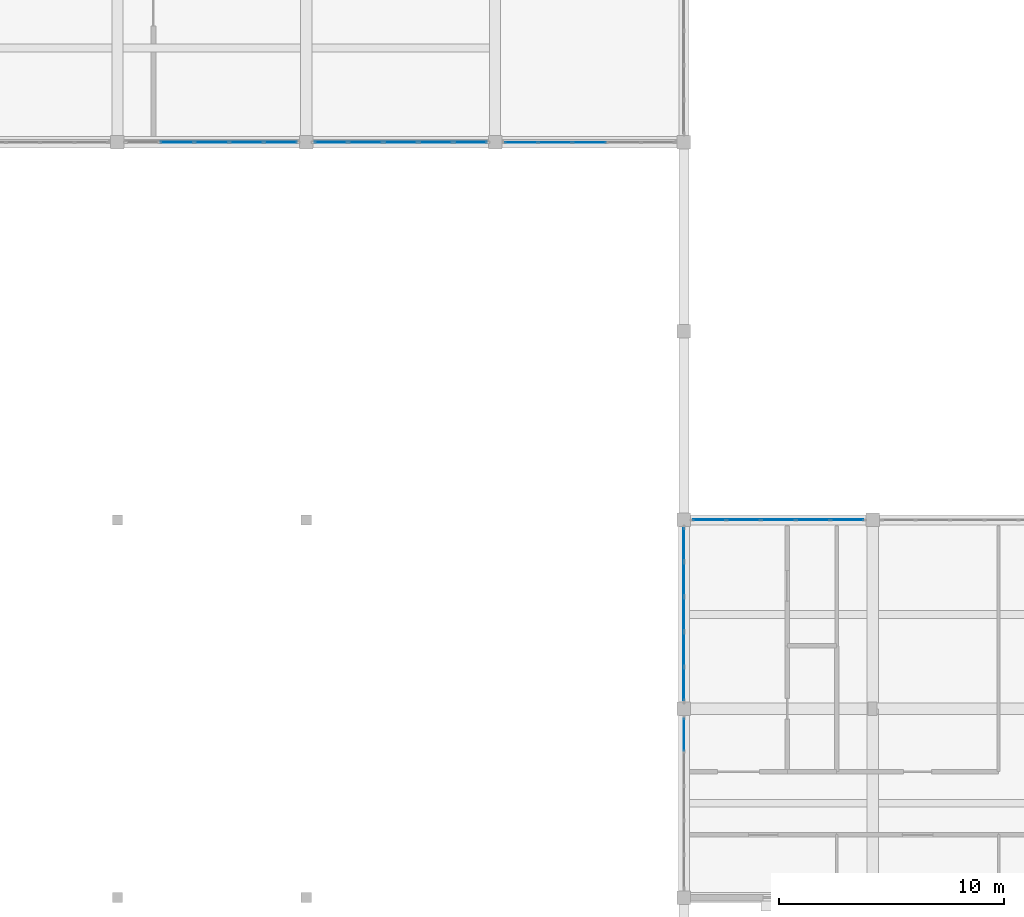
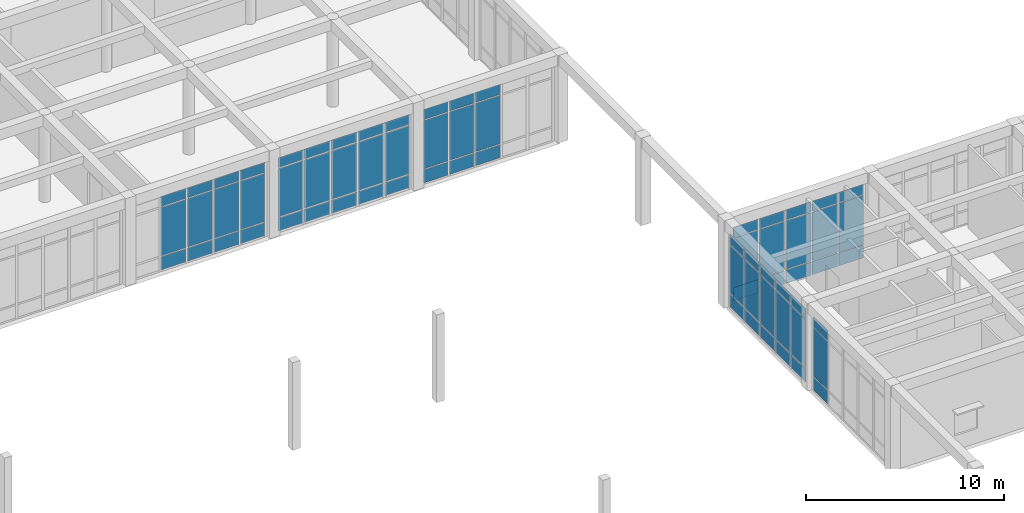
# One storey, part 41 of 89: 69 plates, 6 elements without a shape of their own.
"""IFC4 building model written with IfcOpenShell, lengths in metres."""

from ifc_helpers import new_model, si_unit, direction, frame, origin, origin_2d, place, context, subcontext, project, spatial, rectangle, extrude, material, layer, layer_set, type_object, element, aggregate, save


model = new_model("IFC4")

# Units and contexts
model_context = context("Model", 3, precision=1e-05, world=origin(), true_north=direction((0.0, 1.0)))
body_context = subcontext(model_context, "Body", "Model", "MODEL_VIEW")
ifc_project = project(units=[si_unit("LENGTHUNIT", "METRE"), si_unit("AREAUNIT", "SQUARE_METRE"), si_unit("VOLUMEUNIT", "CUBIC_METRE"), si_unit("PLANEANGLEUNIT", "RADIAN"), si_unit("MASSUNIT", "GRAM", prefix="KILO")], contexts=[model_context])

# Site, building, storey
site_placement = place(None, origin())
site = spatial("IfcSite", under=ifc_project, at=site_placement, CompositionType="ELEMENT")
building_placement = place(site_placement, origin())
building = spatial("IfcBuilding", under=site, at=building_placement, Name="Varncliffe General Hospital", CompositionType="ELEMENT")
storey_placement = place(building_placement, frame((0.0, 0.0, 10.800048828125)))
storey = spatial("IfcBuildingStorey", under=building, at=storey_placement, Name="L02", CompositionType="ELEMENT", Elevation=10.800048828125)

# Curtain wall, plates
ifc_material = material(Name="Triple low-E argon insulated vision glazing", Category="glass")
curtain_wall_type_1 = type_object("IfcCurtainWallType", Name="Unitised Glazed Curtain Wall CW70 (7724x4640)", PredefinedType="USERDEFINED", material=ifc_material)
curtain_wall_1_placement = place(storey_placement, origin())
curtain_wall_1 = element("IfcCurtainWall", 1, at=curtain_wall_1_placement, inside=storey, type_object=curtain_wall_type_1, Name="L02 Glazed Curtain Wall CW70-118", ObjectType="GLAZED CURTAIN WALL", PredefinedType="USERDEFINED")
ifc_layer_1 = layer(ifc_material, 0.0439453125)
ifc_layer_set_1 = layer_set([ifc_layer_1], Name="Triple low-E argon insulated vision glazing")
plate_type_1 = type_object("IfcPlateType", Name="Curtain Wall Glazing Panel CP12 (44mm)", PredefinedType="CURTAIN_PANEL", material=ifc_layer_set_1)
plate_1_placement = place(storey_placement, frame((118.729248046875, 40.800048828125, 0.059814453125), z_axis=(0.0, 0.0, 1.0), x_axis=(1.0, 0.0, 0.0)))
plate_1 = element("IfcPlate", 2, at=plate_1_placement, type_object=plate_type_1, Name="CW70 panel 1.1", PredefinedType="CURTAIN_PANEL", context=body_context, shape_type="SweptSolid", body=[
    extrude(rectangle(XDim=1.432373046875, YDim=0.0439453125, at=origin_2d()), origin(), (0.0, 0.0, 1.0), 0.81005859375),
])
plate_2_placement = place(storey_placement, frame((118.729248046875, 40.800048828125, 0.929931640625), z_axis=(0.0, 0.0, 1.0), x_axis=(1.0, 0.0, 0.0)))
plate_2 = element("IfcPlate", 3, at=plate_2_placement, type_object=plate_type_1, Name="CW70 panel 1.2", PredefinedType="CURTAIN_PANEL", context=body_context, shape_type="SweptSolid", body=[
    extrude(rectangle(XDim=1.432373046875, YDim=0.0439453125, at=origin_2d()), origin(), (0.0, 0.0, 1.0), 2.97998046875),
])
plate_3_placement = place(storey_placement, frame((118.729248046875, 40.800048828125, 3.9697265625), z_axis=(0.0, 0.0, 1.0), x_axis=(1.0, 0.0, 0.0)))
plate_3 = element("IfcPlate", 4, at=plate_3_placement, type_object=plate_type_1, Name="CW70 panel 1.3", PredefinedType="CURTAIN_PANEL", context=body_context, shape_type="SweptSolid", body=[
    extrude(rectangle(XDim=1.432373046875, YDim=0.0439453125, at=origin_2d()), origin(), (0.0, 0.0, 1.0), 0.610107421875),
])
plate_4_placement = place(storey_placement, frame((120.255126953125, 40.800048828125, 0.059814453125), z_axis=(0.0, 0.0, 1.0), x_axis=(1.0, 0.0, 0.0)))
plate_4 = element("IfcPlate", 5, at=plate_4_placement, type_object=plate_type_1, Name="CW70 panel 2.1", PredefinedType="CURTAIN_PANEL", context=body_context, shape_type="SweptSolid", body=[
    extrude(rectangle(XDim=1.4697265625, YDim=0.0439453125, at=origin_2d()), origin(), (0.0, 0.0, 1.0), 0.81005859375),
])
plate_5_placement = place(storey_placement, frame((120.255126953125, 40.800048828125, 0.929931640625), z_axis=(0.0, 0.0, 1.0), x_axis=(1.0, 0.0, 0.0)))
plate_5 = element("IfcPlate", 6, at=plate_5_placement, type_object=plate_type_1, Name="CW70 panel 2.2", PredefinedType="CURTAIN_PANEL", context=body_context, shape_type="SweptSolid", body=[
    extrude(rectangle(XDim=1.4697265625, YDim=0.0439453125, at=origin_2d()), origin(), (0.0, 0.0, 1.0), 2.97998046875),
])
plate_6_placement = place(storey_placement, frame((120.255126953125, 40.800048828125, 3.9697265625), z_axis=(0.0, 0.0, 1.0), x_axis=(1.0, 0.0, 0.0)))
plate_6 = element("IfcPlate", 7, at=plate_6_placement, type_object=plate_type_1, Name="CW70 panel 2.3", PredefinedType="CURTAIN_PANEL", context=body_context, shape_type="SweptSolid", body=[
    extrude(rectangle(XDim=1.4697265625, YDim=0.0439453125, at=origin_2d()), origin(), (0.0, 0.0, 1.0), 0.610107421875),
])
plate_7_placement = place(storey_placement, frame((121.800048828125, 40.800048828125, 0.059814453125), z_axis=(0.0, 0.0, 1.0), x_axis=(1.0, 0.0, 0.0)))
plate_7 = element("IfcPlate", 8, at=plate_7_placement, type_object=plate_type_1, Name="CW70 panel 3.1", PredefinedType="CURTAIN_PANEL", context=body_context, shape_type="SweptSolid", body=[
    extrude(rectangle(XDim=1.4697265625, YDim=0.0439453125, at=origin_2d()), origin(), (0.0, 0.0, 1.0), 0.81005859375),
])
plate_8_placement = place(storey_placement, frame((121.800048828125, 40.800048828125, 0.929931640625), z_axis=(0.0, 0.0, 1.0), x_axis=(1.0, 0.0, 0.0)))
plate_8 = element("IfcPlate", 9, at=plate_8_placement, type_object=plate_type_1, Name="CW70 panel 3.2", PredefinedType="CURTAIN_PANEL", context=body_context, shape_type="SweptSolid", body=[
    extrude(rectangle(XDim=1.4697265625, YDim=0.0439453125, at=origin_2d()), origin(), (0.0, 0.0, 1.0), 2.97998046875),
])
plate_9_placement = place(storey_placement, frame((121.800048828125, 40.800048828125, 3.9697265625), z_axis=(0.0, 0.0, 1.0), x_axis=(1.0, 0.0, 0.0)))
plate_9 = element("IfcPlate", 10, at=plate_9_placement, type_object=plate_type_1, Name="CW70 panel 3.3", PredefinedType="CURTAIN_PANEL", context=body_context, shape_type="SweptSolid", body=[
    extrude(rectangle(XDim=1.4697265625, YDim=0.0439453125, at=origin_2d()), origin(), (0.0, 0.0, 1.0), 0.610107421875),
])
plate_10_placement = place(storey_placement, frame((123.3447265625, 40.800048828125, 0.059814453125), z_axis=(0.0, 0.0, 1.0), x_axis=(1.0, 0.0, 0.0)))
plate_10 = element("IfcPlate", 11, at=plate_10_placement, type_object=plate_type_1, Name="CW70 panel 4.1", PredefinedType="CURTAIN_PANEL", context=body_context, shape_type="SweptSolid", body=[
    extrude(rectangle(XDim=1.4697265625, YDim=0.0439453125, at=origin_2d()), origin(), (0.0, 0.0, 1.0), 0.81005859375),
])
plate_11_placement = place(storey_placement, frame((123.3447265625, 40.800048828125, 0.929931640625), z_axis=(0.0, 0.0, 1.0), x_axis=(1.0, 0.0, 0.0)))
plate_11 = element("IfcPlate", 12, at=plate_11_placement, type_object=plate_type_1, Name="CW70 panel 4.2", PredefinedType="CURTAIN_PANEL", context=body_context, shape_type="SweptSolid", body=[
    extrude(rectangle(XDim=1.4697265625, YDim=0.0439453125, at=origin_2d()), origin(), (0.0, 0.0, 1.0), 2.97998046875),
])
plate_12_placement = place(storey_placement, frame((123.3447265625, 40.800048828125, 3.9697265625), z_axis=(0.0, 0.0, 1.0), x_axis=(1.0, 0.0, 0.0)))
plate_12 = element("IfcPlate", 13, at=plate_12_placement, type_object=plate_type_1, Name="CW70 panel 4.3", PredefinedType="CURTAIN_PANEL", context=body_context, shape_type="SweptSolid", body=[
    extrude(rectangle(XDim=1.4697265625, YDim=0.0439453125, at=origin_2d()), origin(), (0.0, 0.0, 1.0), 0.610107421875),
])
plate_13_placement = place(storey_placement, frame((124.870849609375, 40.800048828125, 0.059814453125), z_axis=(0.0, 0.0, 1.0), x_axis=(1.0, 0.0, 0.0)))
plate_13 = element("IfcPlate", 14, at=plate_13_placement, type_object=plate_type_1, Name="CW70 panel 5.1", PredefinedType="CURTAIN_PANEL", context=body_context, shape_type="SweptSolid", body=[
    extrude(rectangle(XDim=1.432373046875, YDim=0.0439453125, at=origin_2d()), origin(), (0.0, 0.0, 1.0), 0.81005859375),
])
plate_14_placement = place(storey_placement, frame((124.870849609375, 40.800048828125, 0.929931640625), z_axis=(0.0, 0.0, 1.0), x_axis=(1.0, 0.0, 0.0)))
plate_14 = element("IfcPlate", 15, at=plate_14_placement, type_object=plate_type_1, Name="CW70 panel 5.2", PredefinedType="CURTAIN_PANEL", context=body_context, shape_type="SweptSolid", body=[
    extrude(rectangle(XDim=1.432373046875, YDim=0.0439453125, at=origin_2d()), origin(), (0.0, 0.0, 1.0), 2.97998046875),
])
plate_15_placement = place(storey_placement, frame((124.870849609375, 40.800048828125, 3.9697265625), z_axis=(0.0, 0.0, 1.0), x_axis=(1.0, 0.0, 0.0)))
plate_15 = element("IfcPlate", 16, at=plate_15_placement, type_object=plate_type_1, Name="CW70 panel 5.3", PredefinedType="CURTAIN_PANEL", context=body_context, shape_type="SweptSolid", body=[
    extrude(rectangle(XDim=1.432373046875, YDim=0.0439453125, at=origin_2d()), origin(), (0.0, 0.0, 1.0), 0.610107421875),
])
aggregate(curtain_wall_1, [plate_1, plate_2, plate_3, plate_4, plate_5, plate_6, plate_7, plate_8, plate_9, plate_10, plate_11, plate_12, plate_13, plate_14, plate_15])

curtain_wall_2_placement = place(storey_placement, origin())
curtain_wall_2 = element("IfcCurtainWall", 17, at=curtain_wall_2_placement, inside=storey, type_object=curtain_wall_type_1, Name="L02 Glazed Curtain Wall CW70-136", ObjectType="GLAZED CURTAIN WALL", PredefinedType="USERDEFINED")
plate_16_placement = place(storey_placement, frame((99.6708984375, 57.60009765625, 0.059814453125), z_axis=(0.0, 0.0, 1.0), x_axis=(-1.0, 0.0, 0.0)))
plate_16 = element("IfcPlate", 18, at=plate_16_placement, type_object=plate_type_1, Name="CW70 panel 1.1", PredefinedType="CURTAIN_PANEL", context=body_context, shape_type="SweptSolid", body=[
    extrude(rectangle(XDim=1.432373046875, YDim=0.0439453125, at=origin_2d()), origin(), (0.0, 0.0, 1.0), 0.81005859375),
])
plate_17_placement = place(storey_placement, frame((99.6708984375, 57.60009765625, 0.929931640625), z_axis=(0.0, 0.0, 1.0), x_axis=(-1.0, 0.0, 0.0)))
plate_17 = element("IfcPlate", 19, at=plate_17_placement, type_object=plate_type_1, Name="CW70 panel 1.2", PredefinedType="CURTAIN_PANEL", context=body_context, shape_type="SweptSolid", body=[
    extrude(rectangle(XDim=1.432373046875, YDim=0.0439453125, at=origin_2d()), origin(), (0.0, 0.0, 1.0), 2.97998046875),
])
plate_18_placement = place(storey_placement, frame((99.6708984375, 57.60009765625, 3.9697265625), z_axis=(0.0, 0.0, 1.0), x_axis=(-1.0, 0.0, 0.0)))
plate_18 = element("IfcPlate", 20, at=plate_18_placement, type_object=plate_type_1, Name="CW70 panel 1.3", PredefinedType="CURTAIN_PANEL", context=body_context, shape_type="SweptSolid", body=[
    extrude(rectangle(XDim=1.432373046875, YDim=0.0439453125, at=origin_2d()), origin(), (0.0, 0.0, 1.0), 0.610107421875),
])
plate_19_placement = place(storey_placement, frame((98.144775390625, 57.60009765625, 0.059814453125), z_axis=(0.0, 0.0, 1.0), x_axis=(-1.0, 0.0, 0.0)))
plate_19 = element("IfcPlate", 21, at=plate_19_placement, type_object=plate_type_1, Name="CW70 panel 2.1", PredefinedType="CURTAIN_PANEL", context=body_context, shape_type="SweptSolid", body=[
    extrude(rectangle(XDim=1.4697265625, YDim=0.0439453125, at=origin_2d()), origin(), (0.0, 0.0, 1.0), 0.81005859375),
])
plate_20_placement = place(storey_placement, frame((98.144775390625, 57.60009765625, 0.929931640625), z_axis=(0.0, 0.0, 1.0), x_axis=(-1.0, 0.0, 0.0)))
plate_20 = element("IfcPlate", 22, at=plate_20_placement, type_object=plate_type_1, Name="CW70 panel 2.2", PredefinedType="CURTAIN_PANEL", context=body_context, shape_type="SweptSolid", body=[
    extrude(rectangle(XDim=1.4697265625, YDim=0.0439453125, at=origin_2d()), origin(), (0.0, 0.0, 1.0), 2.97998046875),
])
plate_21_placement = place(storey_placement, frame((98.144775390625, 57.60009765625, 3.9697265625), z_axis=(0.0, 0.0, 1.0), x_axis=(-1.0, 0.0, 0.0)))
plate_21 = element("IfcPlate", 23, at=plate_21_placement, type_object=plate_type_1, Name="CW70 panel 2.3", PredefinedType="CURTAIN_PANEL", context=body_context, shape_type="SweptSolid", body=[
    extrude(rectangle(XDim=1.4697265625, YDim=0.0439453125, at=origin_2d()), origin(), (0.0, 0.0, 1.0), 0.610107421875),
])
plate_22_placement = place(storey_placement, frame((96.60009765625, 57.60009765625, 0.059814453125), z_axis=(0.0, 0.0, 1.0), x_axis=(-1.0, 0.0, 0.0)))
plate_22 = element("IfcPlate", 24, at=plate_22_placement, type_object=plate_type_1, Name="CW70 panel 3.1", PredefinedType="CURTAIN_PANEL", context=body_context, shape_type="SweptSolid", body=[
    extrude(rectangle(XDim=1.4697265625, YDim=0.0439453125, at=origin_2d()), origin(), (0.0, 0.0, 1.0), 0.81005859375),
])
plate_23_placement = place(storey_placement, frame((96.60009765625, 57.60009765625, 0.929931640625), z_axis=(0.0, 0.0, 1.0), x_axis=(-1.0, 0.0, 0.0)))
plate_23 = element("IfcPlate", 25, at=plate_23_placement, type_object=plate_type_1, Name="CW70 panel 3.2", PredefinedType="CURTAIN_PANEL", context=body_context, shape_type="SweptSolid", body=[
    extrude(rectangle(XDim=1.4697265625, YDim=0.0439453125, at=origin_2d()), origin(), (0.0, 0.0, 1.0), 2.97998046875),
])
plate_24_placement = place(storey_placement, frame((96.60009765625, 57.60009765625, 3.9697265625), z_axis=(0.0, 0.0, 1.0), x_axis=(-1.0, 0.0, 0.0)))
plate_24 = element("IfcPlate", 26, at=plate_24_placement, type_object=plate_type_1, Name="CW70 panel 3.3", PredefinedType="CURTAIN_PANEL", context=body_context, shape_type="SweptSolid", body=[
    extrude(rectangle(XDim=1.4697265625, YDim=0.0439453125, at=origin_2d()), origin(), (0.0, 0.0, 1.0), 0.610107421875),
])
plate_25_placement = place(storey_placement, frame((95.05517578125, 57.60009765625, 0.059814453125), z_axis=(0.0, 0.0, 1.0), x_axis=(-1.0, 0.0, 0.0)))
plate_25 = element("IfcPlate", 27, at=plate_25_placement, type_object=plate_type_1, Name="CW70 panel 4.1", PredefinedType="CURTAIN_PANEL", context=body_context, shape_type="SweptSolid", body=[
    extrude(rectangle(XDim=1.4697265625, YDim=0.0439453125, at=origin_2d()), origin(), (0.0, 0.0, 1.0), 0.81005859375),
])
plate_26_placement = place(storey_placement, frame((95.05517578125, 57.60009765625, 0.929931640625), z_axis=(0.0, 0.0, 1.0), x_axis=(-1.0, 0.0, 0.0)))
plate_26 = element("IfcPlate", 28, at=plate_26_placement, type_object=plate_type_1, Name="CW70 panel 4.2", PredefinedType="CURTAIN_PANEL", context=body_context, shape_type="SweptSolid", body=[
    extrude(rectangle(XDim=1.4697265625, YDim=0.0439453125, at=origin_2d()), origin(), (0.0, 0.0, 1.0), 2.97998046875),
])
plate_27_placement = place(storey_placement, frame((95.05517578125, 57.60009765625, 3.9697265625), z_axis=(0.0, 0.0, 1.0), x_axis=(-1.0, 0.0, 0.0)))
plate_27 = element("IfcPlate", 29, at=plate_27_placement, type_object=plate_type_1, Name="CW70 panel 4.3", PredefinedType="CURTAIN_PANEL", context=body_context, shape_type="SweptSolid", body=[
    extrude(rectangle(XDim=1.4697265625, YDim=0.0439453125, at=origin_2d()), origin(), (0.0, 0.0, 1.0), 0.610107421875),
])
aggregate(curtain_wall_2, [plate_16, plate_17, plate_18, plate_19, plate_20, plate_21, plate_22, plate_23, plate_24, plate_25, plate_26, plate_27])

curtain_wall_type_2 = type_object("IfcCurtainWallType", Name="Unitised Glazed Curtain Wall CW85 (7804x4640)", PredefinedType="USERDEFINED", material=ifc_material)
curtain_wall_3_placement = place(storey_placement, origin())
curtain_wall_3 = element("IfcCurtainWall", 30, at=curtain_wall_3_placement, inside=storey, type_object=curtain_wall_type_2, Name="L02 Glazed Curtain Wall CW85-117", ObjectType="GLAZED CURTAIN WALL", PredefinedType="USERDEFINED")
ifc_layer_2 = layer(ifc_material, 0.035888671875)
ifc_layer_set_2 = layer_set([ifc_layer_2], Name="Triple low-E argon insulated vision glazing")
plate_type_2 = type_object("IfcPlateType", Name="Curtain Wall Glazing Panel CP27 (36mm)", PredefinedType="CURTAIN_PANEL", material=ifc_layer_set_2)
plate_28_placement = place(storey_placement, frame((117.60009765625, 33.4970703125, 0.06494140625), z_axis=(0.0, 0.0, 1.0), x_axis=(0.0, 1.0, 0.0)))
plate_28 = element("IfcPlate", 31, at=plate_28_placement, type_object=plate_type_2, Name="CW85 panel 1.1", PredefinedType="CURTAIN_PANEL", context=body_context, shape_type="SweptSolid", body=[
    extrude(rectangle(XDim=1.4482421875, YDim=0.035888671875, at=origin_2d()), origin(), (0.0, 0.0, 1.0), 0.802490234375),
])
plate_29_placement = place(storey_placement, frame((117.60009765625, 33.4970703125, 0.932373046875), z_axis=(0.0, 0.0, 1.0), x_axis=(0.0, 1.0, 0.0)))
plate_29 = element("IfcPlate", 32, at=plate_29_placement, type_object=plate_type_2, Name="CW85 panel 1.2", PredefinedType="CURTAIN_PANEL", context=body_context, shape_type="SweptSolid", body=[
    extrude(rectangle(XDim=1.4482421875, YDim=0.035888671875, at=origin_2d()), origin(), (0.0, 0.0, 1.0), 2.97509765625),
])
plate_30_placement = place(storey_placement, frame((117.60009765625, 33.4970703125, 3.972412109375), z_axis=(0.0, 0.0, 1.0), x_axis=(0.0, 1.0, 0.0)))
plate_30 = element("IfcPlate", 33, at=plate_30_placement, type_object=plate_type_2, Name="CW85 panel 1.3", PredefinedType="CURTAIN_PANEL", context=body_context, shape_type="SweptSolid", body=[
    extrude(rectangle(XDim=1.4482421875, YDim=0.035888671875, at=origin_2d()), origin(), (0.0, 0.0, 1.0), 0.6025390625),
])
plate_31_placement = place(storey_placement, frame((117.60009765625, 35.039306640625, 0.06494140625), z_axis=(0.0, 0.0, 1.0), x_axis=(0.0, 1.0, 0.0)))
plate_31 = element("IfcPlate", 34, at=plate_31_placement, type_object=plate_type_2, Name="CW85 panel 2.1", PredefinedType="CURTAIN_PANEL", context=body_context, shape_type="SweptSolid", body=[
    extrude(rectangle(XDim=1.48583984375, YDim=0.035888671875, at=origin_2d()), origin(), (0.0, 0.0, 1.0), 0.802490234375),
])
plate_32_placement = place(storey_placement, frame((117.60009765625, 35.039306640625, 0.932373046875), z_axis=(0.0, 0.0, 1.0), x_axis=(0.0, 1.0, 0.0)))
plate_32 = element("IfcPlate", 35, at=plate_32_placement, type_object=plate_type_2, Name="CW85 panel 2.2", PredefinedType="CURTAIN_PANEL", context=body_context, shape_type="SweptSolid", body=[
    extrude(rectangle(XDim=1.48583984375, YDim=0.035888671875, at=origin_2d()), origin(), (0.0, 0.0, 1.0), 2.97509765625),
])
plate_33_placement = place(storey_placement, frame((117.60009765625, 35.039306640625, 3.972412109375), z_axis=(0.0, 0.0, 1.0), x_axis=(0.0, 1.0, 0.0)))
plate_33 = element("IfcPlate", 36, at=plate_33_placement, type_object=plate_type_2, Name="CW85 panel 2.3", PredefinedType="CURTAIN_PANEL", context=body_context, shape_type="SweptSolid", body=[
    extrude(rectangle(XDim=1.48583984375, YDim=0.035888671875, at=origin_2d()), origin(), (0.0, 0.0, 1.0), 0.6025390625),
])
plate_34_placement = place(storey_placement, frame((117.60009765625, 36.60009765625, 0.06494140625), z_axis=(0.0, 0.0, 1.0), x_axis=(0.0, 1.0, 0.0)))
plate_34 = element("IfcPlate", 37, at=plate_34_placement, type_object=plate_type_2, Name="CW85 panel 3.1", PredefinedType="CURTAIN_PANEL", context=body_context, shape_type="SweptSolid", body=[
    extrude(rectangle(XDim=1.48583984375, YDim=0.035888671875, at=origin_2d()), origin(), (0.0, 0.0, 1.0), 0.802490234375),
])
plate_35_placement = place(storey_placement, frame((117.60009765625, 36.60009765625, 0.932373046875), z_axis=(0.0, 0.0, 1.0), x_axis=(0.0, 1.0, 0.0)))
plate_35 = element("IfcPlate", 38, at=plate_35_placement, type_object=plate_type_2, Name="CW85 panel 3.2", PredefinedType="CURTAIN_PANEL", context=body_context, shape_type="SweptSolid", body=[
    extrude(rectangle(XDim=1.48583984375, YDim=0.035888671875, at=origin_2d()), origin(), (0.0, 0.0, 1.0), 2.97509765625),
])
plate_36_placement = place(storey_placement, frame((117.60009765625, 36.60009765625, 3.972412109375), z_axis=(0.0, 0.0, 1.0), x_axis=(0.0, 1.0, 0.0)))
plate_36 = element("IfcPlate", 39, at=plate_36_placement, type_object=plate_type_2, Name="CW85 panel 3.3", PredefinedType="CURTAIN_PANEL", context=body_context, shape_type="SweptSolid", body=[
    extrude(rectangle(XDim=1.48583984375, YDim=0.035888671875, at=origin_2d()), origin(), (0.0, 0.0, 1.0), 0.6025390625),
])
plate_37_placement = place(storey_placement, frame((117.60009765625, 38.160888671875, 0.06494140625), z_axis=(0.0, 0.0, 1.0), x_axis=(0.0, 1.0, 0.0)))
plate_37 = element("IfcPlate", 40, at=plate_37_placement, type_object=plate_type_2, Name="CW85 panel 4.1", PredefinedType="CURTAIN_PANEL", context=body_context, shape_type="SweptSolid", body=[
    extrude(rectangle(XDim=1.48583984375, YDim=0.035888671875, at=origin_2d()), origin(), (0.0, 0.0, 1.0), 0.802490234375),
])
plate_38_placement = place(storey_placement, frame((117.60009765625, 38.160888671875, 0.932373046875), z_axis=(0.0, 0.0, 1.0), x_axis=(0.0, 1.0, 0.0)))
plate_38 = element("IfcPlate", 41, at=plate_38_placement, type_object=plate_type_2, Name="CW85 panel 4.2", PredefinedType="CURTAIN_PANEL", context=body_context, shape_type="SweptSolid", body=[
    extrude(rectangle(XDim=1.48583984375, YDim=0.035888671875, at=origin_2d()), origin(), (0.0, 0.0, 1.0), 2.97509765625),
])
plate_39_placement = place(storey_placement, frame((117.60009765625, 38.160888671875, 3.972412109375), z_axis=(0.0, 0.0, 1.0), x_axis=(0.0, 1.0, 0.0)))
plate_39 = element("IfcPlate", 42, at=plate_39_placement, type_object=plate_type_2, Name="CW85 panel 4.3", PredefinedType="CURTAIN_PANEL", context=body_context, shape_type="SweptSolid", body=[
    extrude(rectangle(XDim=1.48583984375, YDim=0.035888671875, at=origin_2d()), origin(), (0.0, 0.0, 1.0), 0.6025390625),
])
plate_40_placement = place(storey_placement, frame((117.60009765625, 39.702880859375, 0.06494140625), z_axis=(0.0, 0.0, 1.0), x_axis=(0.0, 1.0, 0.0)))
plate_40 = element("IfcPlate", 43, at=plate_40_placement, type_object=plate_type_2, Name="CW85 panel 5.1", PredefinedType="CURTAIN_PANEL", context=body_context, shape_type="SweptSolid", body=[
    extrude(rectangle(XDim=1.4482421875, YDim=0.035888671875, at=origin_2d()), origin(), (0.0, 0.0, 1.0), 0.802490234375),
])
plate_41_placement = place(storey_placement, frame((117.60009765625, 39.702880859375, 0.932373046875), z_axis=(0.0, 0.0, 1.0), x_axis=(0.0, 1.0, 0.0)))
plate_41 = element("IfcPlate", 44, at=plate_41_placement, type_object=plate_type_2, Name="CW85 panel 5.2", PredefinedType="CURTAIN_PANEL", context=body_context, shape_type="SweptSolid", body=[
    extrude(rectangle(XDim=1.4482421875, YDim=0.035888671875, at=origin_2d()), origin(), (0.0, 0.0, 1.0), 2.97509765625),
])
plate_42_placement = place(storey_placement, frame((117.60009765625, 39.702880859375, 3.972412109375), z_axis=(0.0, 0.0, 1.0), x_axis=(0.0, 1.0, 0.0)))
plate_42 = element("IfcPlate", 45, at=plate_42_placement, type_object=plate_type_2, Name="CW85 panel 5.3", PredefinedType="CURTAIN_PANEL", context=body_context, shape_type="SweptSolid", body=[
    extrude(rectangle(XDim=1.4482421875, YDim=0.035888671875, at=origin_2d()), origin(), (0.0, 0.0, 1.0), 0.6025390625),
])
aggregate(curtain_wall_3, [plate_28, plate_29, plate_30, plate_31, plate_32, plate_33, plate_34, plate_35, plate_36, plate_37, plate_38, plate_39, plate_40, plate_41, plate_42])

curtain_wall_4_placement = place(storey_placement, origin())
curtain_wall_4 = element("IfcCurtainWall", 46, at=curtain_wall_4_placement, inside=storey, type_object=curtain_wall_type_2, Name="L02 Glazed Curtain Wall CW85-135", ObjectType="GLAZED CURTAIN WALL", PredefinedType="USERDEFINED")
plate_43_placement = place(storey_placement, frame((108.102783203125, 57.60009765625, 0.06494140625), z_axis=(0.0, 0.0, 1.0), x_axis=(-1.0, 0.0, 0.0)))
plate_43 = element("IfcPlate", 47, at=plate_43_placement, type_object=plate_type_2, Name="CW85 panel 1.1", PredefinedType="CURTAIN_PANEL", context=body_context, shape_type="SweptSolid", body=[
    extrude(rectangle(XDim=1.4482421875, YDim=0.035888671875, at=origin_2d()), origin(), (0.0, 0.0, 1.0), 0.802490234375),
])
plate_44_placement = place(storey_placement, frame((108.102783203125, 57.60009765625, 0.932373046875), z_axis=(0.0, 0.0, 1.0), x_axis=(-1.0, 0.0, 0.0)))
plate_44 = element("IfcPlate", 48, at=plate_44_placement, type_object=plate_type_2, Name="CW85 panel 1.2", PredefinedType="CURTAIN_PANEL", context=body_context, shape_type="SweptSolid", body=[
    extrude(rectangle(XDim=1.4482421875, YDim=0.035888671875, at=origin_2d()), origin(), (0.0, 0.0, 1.0), 2.97509765625),
])
plate_45_placement = place(storey_placement, frame((108.102783203125, 57.60009765625, 3.972412109375), z_axis=(0.0, 0.0, 1.0), x_axis=(-1.0, 0.0, 0.0)))
plate_45 = element("IfcPlate", 49, at=plate_45_placement, type_object=plate_type_2, Name="CW85 panel 1.3", PredefinedType="CURTAIN_PANEL", context=body_context, shape_type="SweptSolid", body=[
    extrude(rectangle(XDim=1.4482421875, YDim=0.035888671875, at=origin_2d()), origin(), (0.0, 0.0, 1.0), 0.6025390625),
])
plate_46_placement = place(storey_placement, frame((106.560791015625, 57.60009765625, 0.06494140625), z_axis=(0.0, 0.0, 1.0), x_axis=(-1.0, 0.0, 0.0)))
plate_46 = element("IfcPlate", 50, at=plate_46_placement, type_object=plate_type_2, Name="CW85 panel 2.1", PredefinedType="CURTAIN_PANEL", context=body_context, shape_type="SweptSolid", body=[
    extrude(rectangle(XDim=1.48583984375, YDim=0.035888671875, at=origin_2d()), origin(), (0.0, 0.0, 1.0), 0.802490234375),
])
plate_47_placement = place(storey_placement, frame((106.560791015625, 57.60009765625, 0.932373046875), z_axis=(0.0, 0.0, 1.0), x_axis=(-1.0, 0.0, 0.0)))
plate_47 = element("IfcPlate", 51, at=plate_47_placement, type_object=plate_type_2, Name="CW85 panel 2.2", PredefinedType="CURTAIN_PANEL", context=body_context, shape_type="SweptSolid", body=[
    extrude(rectangle(XDim=1.48583984375, YDim=0.035888671875, at=origin_2d()), origin(), (0.0, 0.0, 1.0), 2.97509765625),
])
plate_48_placement = place(storey_placement, frame((106.560791015625, 57.60009765625, 3.972412109375), z_axis=(0.0, 0.0, 1.0), x_axis=(-1.0, 0.0, 0.0)))
plate_48 = element("IfcPlate", 52, at=plate_48_placement, type_object=plate_type_2, Name="CW85 panel 2.3", PredefinedType="CURTAIN_PANEL", context=body_context, shape_type="SweptSolid", body=[
    extrude(rectangle(XDim=1.48583984375, YDim=0.035888671875, at=origin_2d()), origin(), (0.0, 0.0, 1.0), 0.6025390625),
])
plate_49_placement = place(storey_placement, frame((105.0, 57.60009765625, 0.06494140625), z_axis=(0.0, 0.0, 1.0), x_axis=(-1.0, 0.0, 0.0)))
plate_49 = element("IfcPlate", 53, at=plate_49_placement, type_object=plate_type_2, Name="CW85 panel 3.1", PredefinedType="CURTAIN_PANEL", context=body_context, shape_type="SweptSolid", body=[
    extrude(rectangle(XDim=1.48583984375, YDim=0.035888671875, at=origin_2d()), origin(), (0.0, 0.0, 1.0), 0.802490234375),
])
plate_50_placement = place(storey_placement, frame((105.0, 57.60009765625, 0.932373046875), z_axis=(0.0, 0.0, 1.0), x_axis=(-1.0, 0.0, 0.0)))
plate_50 = element("IfcPlate", 54, at=plate_50_placement, type_object=plate_type_2, Name="CW85 panel 3.2", PredefinedType="CURTAIN_PANEL", context=body_context, shape_type="SweptSolid", body=[
    extrude(rectangle(XDim=1.48583984375, YDim=0.035888671875, at=origin_2d()), origin(), (0.0, 0.0, 1.0), 2.97509765625),
])
plate_51_placement = place(storey_placement, frame((105.0, 57.60009765625, 3.972412109375), z_axis=(0.0, 0.0, 1.0), x_axis=(-1.0, 0.0, 0.0)))
plate_51 = element("IfcPlate", 55, at=plate_51_placement, type_object=plate_type_2, Name="CW85 panel 3.3", PredefinedType="CURTAIN_PANEL", context=body_context, shape_type="SweptSolid", body=[
    extrude(rectangle(XDim=1.48583984375, YDim=0.035888671875, at=origin_2d()), origin(), (0.0, 0.0, 1.0), 0.6025390625),
])
plate_52_placement = place(storey_placement, frame((103.439208984375, 57.60009765625, 0.06494140625), z_axis=(0.0, 0.0, 1.0), x_axis=(-1.0, 0.0, 0.0)))
plate_52 = element("IfcPlate", 56, at=plate_52_placement, type_object=plate_type_2, Name="CW85 panel 4.1", PredefinedType="CURTAIN_PANEL", context=body_context, shape_type="SweptSolid", body=[
    extrude(rectangle(XDim=1.48583984375, YDim=0.035888671875, at=origin_2d()), origin(), (0.0, 0.0, 1.0), 0.802490234375),
])
plate_53_placement = place(storey_placement, frame((103.439208984375, 57.60009765625, 0.932373046875), z_axis=(0.0, 0.0, 1.0), x_axis=(-1.0, 0.0, 0.0)))
plate_53 = element("IfcPlate", 57, at=plate_53_placement, type_object=plate_type_2, Name="CW85 panel 4.2", PredefinedType="CURTAIN_PANEL", context=body_context, shape_type="SweptSolid", body=[
    extrude(rectangle(XDim=1.48583984375, YDim=0.035888671875, at=origin_2d()), origin(), (0.0, 0.0, 1.0), 2.97509765625),
])
plate_54_placement = place(storey_placement, frame((103.439208984375, 57.60009765625, 3.972412109375), z_axis=(0.0, 0.0, 1.0), x_axis=(-1.0, 0.0, 0.0)))
plate_54 = element("IfcPlate", 58, at=plate_54_placement, type_object=plate_type_2, Name="CW85 panel 4.3", PredefinedType="CURTAIN_PANEL", context=body_context, shape_type="SweptSolid", body=[
    extrude(rectangle(XDim=1.48583984375, YDim=0.035888671875, at=origin_2d()), origin(), (0.0, 0.0, 1.0), 0.6025390625),
])
plate_55_placement = place(storey_placement, frame((101.897216796875, 57.60009765625, 0.06494140625), z_axis=(0.0, 0.0, 1.0), x_axis=(-1.0, 0.0, 0.0)))
plate_55 = element("IfcPlate", 59, at=plate_55_placement, type_object=plate_type_2, Name="CW85 panel 5.1", PredefinedType="CURTAIN_PANEL", context=body_context, shape_type="SweptSolid", body=[
    extrude(rectangle(XDim=1.4482421875, YDim=0.035888671875, at=origin_2d()), origin(), (0.0, 0.0, 1.0), 0.802490234375),
])
plate_56_placement = place(storey_placement, frame((101.897216796875, 57.60009765625, 0.932373046875), z_axis=(0.0, 0.0, 1.0), x_axis=(-1.0, 0.0, 0.0)))
plate_56 = element("IfcPlate", 60, at=plate_56_placement, type_object=plate_type_2, Name="CW85 panel 5.2", PredefinedType="CURTAIN_PANEL", context=body_context, shape_type="SweptSolid", body=[
    extrude(rectangle(XDim=1.4482421875, YDim=0.035888671875, at=origin_2d()), origin(), (0.0, 0.0, 1.0), 2.97509765625),
])
plate_57_placement = place(storey_placement, frame((101.897216796875, 57.60009765625, 3.972412109375), z_axis=(0.0, 0.0, 1.0), x_axis=(-1.0, 0.0, 0.0)))
plate_57 = element("IfcPlate", 61, at=plate_57_placement, type_object=plate_type_2, Name="CW85 panel 5.3", PredefinedType="CURTAIN_PANEL", context=body_context, shape_type="SweptSolid", body=[
    extrude(rectangle(XDim=1.4482421875, YDim=0.035888671875, at=origin_2d()), origin(), (0.0, 0.0, 1.0), 0.6025390625),
])
aggregate(curtain_wall_4, [plate_43, plate_44, plate_45, plate_46, plate_47, plate_48, plate_49, plate_50, plate_51, plate_52, plate_53, plate_54, plate_55, plate_56, plate_57])

curtain_wall_type_3 = type_object("IfcCurtainWallType", Name="Unitised Glazed Curtain Wall CW27 (7644x4640)", PredefinedType="USERDEFINED", material=ifc_material)
curtain_wall_5_placement = place(storey_placement, origin())
curtain_wall_5 = element("IfcCurtainWall", 62, at=curtain_wall_5_placement, inside=storey, type_object=curtain_wall_type_3, Name="L02 Glazed Curtain Wall CW27-116", ObjectType="GLAZED CURTAIN WALL", PredefinedType="USERDEFINED")
ifc_layer_3 = layer(ifc_material, 0.028076171875)
ifc_layer_set_3 = layer_set([ifc_layer_3], Name="Triple low-E argon insulated vision glazing")
plate_type_3 = type_object("IfcPlateType", Name="Curtain Wall Glazing Panel CP48 (28mm)", PredefinedType="CURTAIN_PANEL", material=ifc_layer_set_3)
plate_58_placement = place(storey_placement, frame((117.60009765625, 31.241455078125, 0.059814453125), z_axis=(0.0, 0.0, 1.0), x_axis=(0.0, 1.0, 0.0)))
plate_58 = element("IfcPlate", 63, at=plate_58_placement, type_object=plate_type_3, Name="CW27 panel 5.1", PredefinedType="CURTAIN_PANEL", context=body_context, shape_type="SweptSolid", body=[
    extrude(rectangle(XDim=1.431396484375, YDim=0.028076171875, at=origin_2d()), origin(), (0.0, 0.0, 1.0), 0.81005859375),
])
plate_59_placement = place(storey_placement, frame((117.60009765625, 31.241455078125, 0.929931640625), z_axis=(0.0, 0.0, 1.0), x_axis=(0.0, 1.0, 0.0)))
plate_59 = element("IfcPlate", 64, at=plate_59_placement, type_object=plate_type_3, Name="CW27 panel 5.2", PredefinedType="CURTAIN_PANEL", context=body_context, shape_type="SweptSolid", body=[
    extrude(rectangle(XDim=1.431396484375, YDim=0.028076171875, at=origin_2d()), origin(), (0.0, 0.0, 1.0), 2.97998046875),
])
plate_60_placement = place(storey_placement, frame((117.60009765625, 31.241455078125, 3.9697265625), z_axis=(0.0, 0.0, 1.0), x_axis=(0.0, 1.0, 0.0)))
plate_60 = element("IfcPlate", 65, at=plate_60_placement, type_object=plate_type_3, Name="CW27 panel 5.3", PredefinedType="CURTAIN_PANEL", context=body_context, shape_type="SweptSolid", body=[
    extrude(rectangle(XDim=1.431396484375, YDim=0.028076171875, at=origin_2d()), origin(), (0.0, 0.0, 1.0), 0.610107421875),
])
aggregate(curtain_wall_5, [plate_58, plate_59, plate_60])

curtain_wall_6_placement = place(storey_placement, origin())
curtain_wall_6 = element("IfcCurtainWall", 66, at=curtain_wall_6_placement, inside=storey, type_object=curtain_wall_type_3, Name="L02 Glazed Curtain Wall CW27-134", ObjectType="GLAZED CURTAIN WALL", PredefinedType="USERDEFINED")
plate_61_placement = place(storey_placement, frame((113.39990234375, 57.60009765625, 0.059814453125), z_axis=(0.0, 0.0, 1.0), x_axis=(-1.0, 0.0, 0.0)))
plate_61 = element("IfcPlate", 67, at=plate_61_placement, type_object=plate_type_3, Name="CW27 panel 3.1", PredefinedType="CURTAIN_PANEL", context=body_context, shape_type="SweptSolid", body=[
    extrude(rectangle(XDim=1.4638671875, YDim=0.028076171875, at=origin_2d()), origin(), (0.0, 0.0, 1.0), 0.81005859375),
])
plate_62_placement = place(storey_placement, frame((113.39990234375, 57.60009765625, 0.929931640625), z_axis=(0.0, 0.0, 1.0), x_axis=(-1.0, 0.0, 0.0)))
plate_62 = element("IfcPlate", 68, at=plate_62_placement, type_object=plate_type_3, Name="CW27 panel 3.2", PredefinedType="CURTAIN_PANEL", context=body_context, shape_type="SweptSolid", body=[
    extrude(rectangle(XDim=1.4638671875, YDim=0.028076171875, at=origin_2d()), origin(), (0.0, 0.0, 1.0), 2.97998046875),
])
plate_63_placement = place(storey_placement, frame((113.39990234375, 57.60009765625, 3.9697265625), z_axis=(0.0, 0.0, 1.0), x_axis=(-1.0, 0.0, 0.0)))
plate_63 = element("IfcPlate", 69, at=plate_63_placement, type_object=plate_type_3, Name="CW27 panel 3.3", PredefinedType="CURTAIN_PANEL", context=body_context, shape_type="SweptSolid", body=[
    extrude(rectangle(XDim=1.4638671875, YDim=0.028076171875, at=origin_2d()), origin(), (0.0, 0.0, 1.0), 0.610107421875),
])
plate_64_placement = place(storey_placement, frame((111.87109375, 57.60009765625, 0.059814453125), z_axis=(0.0, 0.0, 1.0), x_axis=(-1.0, 0.0, 0.0)))
plate_64 = element("IfcPlate", 70, at=plate_64_placement, type_object=plate_type_3, Name="CW27 panel 4.1", PredefinedType="CURTAIN_PANEL", context=body_context, shape_type="SweptSolid", body=[
    extrude(rectangle(XDim=1.4638671875, YDim=0.028076171875, at=origin_2d()), origin(), (0.0, 0.0, 1.0), 0.81005859375),
])
plate_65_placement = place(storey_placement, frame((111.87109375, 57.60009765625, 0.929931640625), z_axis=(0.0, 0.0, 1.0), x_axis=(-1.0, 0.0, 0.0)))
plate_65 = element("IfcPlate", 71, at=plate_65_placement, type_object=plate_type_3, Name="CW27 panel 4.2", PredefinedType="CURTAIN_PANEL", context=body_context, shape_type="SweptSolid", body=[
    extrude(rectangle(XDim=1.4638671875, YDim=0.028076171875, at=origin_2d()), origin(), (0.0, 0.0, 1.0), 2.97998046875),
])
plate_66_placement = place(storey_placement, frame((111.87109375, 57.60009765625, 3.9697265625), z_axis=(0.0, 0.0, 1.0), x_axis=(-1.0, 0.0, 0.0)))
plate_66 = element("IfcPlate", 72, at=plate_66_placement, type_object=plate_type_3, Name="CW27 panel 4.3", PredefinedType="CURTAIN_PANEL", context=body_context, shape_type="SweptSolid", body=[
    extrude(rectangle(XDim=1.4638671875, YDim=0.028076171875, at=origin_2d()), origin(), (0.0, 0.0, 1.0), 0.610107421875),
])
plate_67_placement = place(storey_placement, frame((110.358642578125, 57.60009765625, 0.059814453125), z_axis=(0.0, 0.0, 1.0), x_axis=(-1.0, 0.0, 0.0)))
plate_67 = element("IfcPlate", 73, at=plate_67_placement, type_object=plate_type_3, Name="CW27 panel 5.1", PredefinedType="CURTAIN_PANEL", context=body_context, shape_type="SweptSolid", body=[
    extrude(rectangle(XDim=1.431396484375, YDim=0.028076171875, at=origin_2d()), origin(), (0.0, 0.0, 1.0), 0.81005859375),
])
plate_68_placement = place(storey_placement, frame((110.358642578125, 57.60009765625, 0.929931640625), z_axis=(0.0, 0.0, 1.0), x_axis=(-1.0, 0.0, 0.0)))
plate_68 = element("IfcPlate", 74, at=plate_68_placement, type_object=plate_type_3, Name="CW27 panel 5.2", PredefinedType="CURTAIN_PANEL", context=body_context, shape_type="SweptSolid", body=[
    extrude(rectangle(XDim=1.431396484375, YDim=0.028076171875, at=origin_2d()), origin(), (0.0, 0.0, 1.0), 2.97998046875),
])
plate_69_placement = place(storey_placement, frame((110.358642578125, 57.60009765625, 3.9697265625), z_axis=(0.0, 0.0, 1.0), x_axis=(-1.0, 0.0, 0.0)))
plate_69 = element("IfcPlate", 75, at=plate_69_placement, type_object=plate_type_3, Name="CW27 panel 5.3", PredefinedType="CURTAIN_PANEL", context=body_context, shape_type="SweptSolid", body=[
    extrude(rectangle(XDim=1.431396484375, YDim=0.028076171875, at=origin_2d()), origin(), (0.0, 0.0, 1.0), 0.610107421875),
])
aggregate(curtain_wall_6, [plate_61, plate_62, plate_63, plate_64, plate_65, plate_66, plate_67, plate_68, plate_69])

save(model, "model.ifc")
